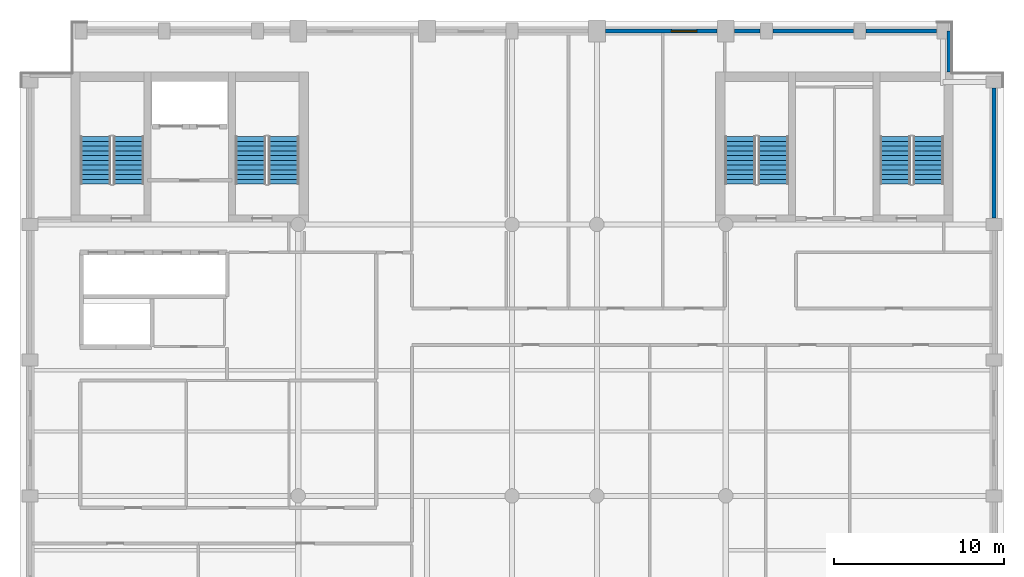
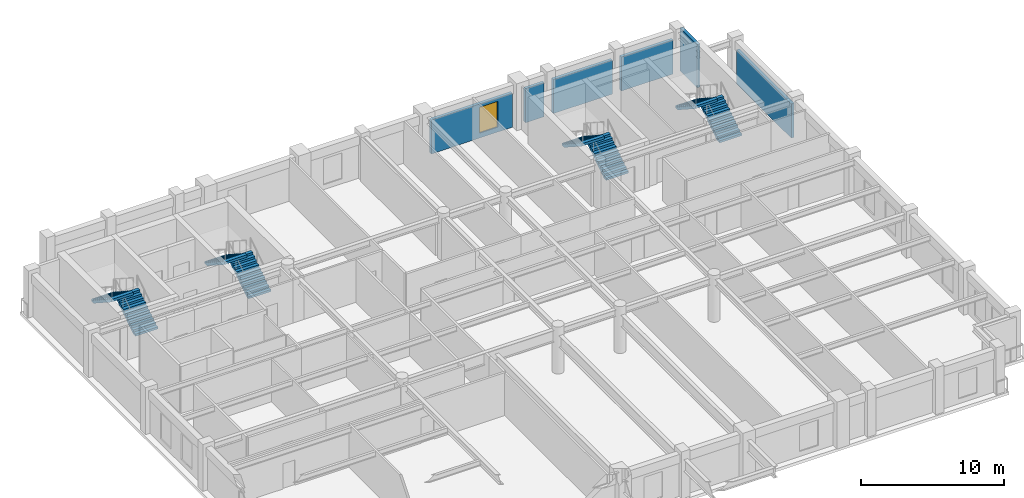
# One storey, part 6 of 9: 8 stair flights, 6 walls, 1 window, 1 opening, 4 elements without a shape of their own.
"""IFC4 building model written with IfcOpenShell, lengths in metres."""

import ifcopenshell
import ifcopenshell.guid

model = None  # the IFC model being written
_history = None  # IfcOwnerHistory: only IFC2X3 demands one
_inside = {}  # id of a spatial element -> (the spatial element, [elements in it])
_under = {}  # id of a project, library or spatial element -> (it, [spatial elements below it])
_declared = {}  # id of a project -> (the project, [libraries it declares])
_typed = {}  # id of a type object -> (the type object, [elements of that type])
_made_of = {}  # id of a material, layer set ... -> (it, [elements and type objects made of it])


def new_model(schema):
    """Start an empty IFC model of exactly this schema.

    Asked for "IFC4X3", IfcOpenShell would pick the latest addendum, in which some entities
    have other attributes; the version numbers below select the first issue.
    IFC2X3 requires an IfcOwnerHistory on every rooted entity: one is made here for all.
    """
    global model, _history
    if schema == "IFC4X3":
        model = ifcopenshell.file(schema_version=(4, 3, 0, 0))
    else:
        model = ifcopenshell.file(schema=schema)
    _inside.clear()
    _under.clear()
    _declared.clear()
    _typed.clear()
    _made_of.clear()
    _history = None
    if model.schema == "IFC2X3":
        org = make("IfcOrganization", Name="unknown")
        user = make(
            "IfcPersonAndOrganization",
            ThePerson=make("IfcPerson", FamilyName="unknown"),
            TheOrganization=org,
        )
        app = make(
            "IfcApplication",
            ApplicationDeveloper=org,
            Version="unknown",
            ApplicationFullName="unknown",
            ApplicationIdentifier="unknown",
        )
        _history = make(
            "IfcOwnerHistory",
            OwningUser=user,
            OwningApplication=app,
            ChangeAction="ADDED",
            CreationDate=0,
        )
    return model


def make(cls, **values):
    """One entity of the class cls with the attributes given. An attribute that is None is left unset."""
    return model.create_entity(
        cls, **{name: value for name, value in values.items() if value is not None}
    )


def rooted(cls, **values):
    """An entity with a GlobalId (a new one), such as an element, a storey or a relation."""
    return make(cls, GlobalId=ifcopenshell.guid.new(), OwnerHistory=_history, **values)


def si_unit(unit_type, name, prefix=None):
    """IfcSIUnit, for example si_unit("LENGTHUNIT", "METRE", prefix="MILLI")."""
    return make("IfcSIUnit", UnitType=unit_type, Prefix=prefix, Name=name)


def assignment(units):
    """IfcUnitAssignment: the units of a project."""
    return None if units is None else make("IfcUnitAssignment", Units=units)


def point(xyz):
    """IfcCartesianPoint."""
    return None if xyz is None else make("IfcCartesianPoint", Coordinates=xyz)


def direction(xyz):
    """IfcDirection."""
    return None if xyz is None else make("IfcDirection", DirectionRatios=xyz)


def frame(location, z_axis=None, x_axis=None):
    """IfcAxis2Placement3D, a coordinate frame: its origin and axes. An axis left out is left unset."""
    return make(
        "IfcAxis2Placement3D",
        Location=point(location),
        Axis=direction(z_axis),
        RefDirection=direction(x_axis),
    )


def frame_2d(location, x_axis=None):
    """IfcAxis2Placement2D, a coordinate frame in the plane: its origin and x axis."""
    return make(
        "IfcAxis2Placement2D", Location=point(location), RefDirection=direction(x_axis)
    )


def origin():
    """The frame at (0, 0, 0) with its axes left unset."""
    return frame((0.0, 0.0, 0.0))


def place(relative_to, where):
    """IfcLocalPlacement: puts the frame where relative to a parent placement (None: the world)."""
    return make(
        "IfcLocalPlacement", PlacementRelTo=relative_to, RelativePlacement=where
    )


def context(
    kind, dimensions, precision=None, world=None, true_north=None, identifier=None
):
    """IfcGeometricRepresentationContext, for example the 3D "Model" context."""
    return make(
        "IfcGeometricRepresentationContext",
        ContextIdentifier=identifier,
        ContextType=kind,
        CoordinateSpaceDimension=dimensions,
        Precision=precision,
        WorldCoordinateSystem=world,
        TrueNorth=true_north,
    )


def subcontext(parent, identifier, kind, view, scale=None):
    """IfcGeometricRepresentationSubContext, for example "Body" below "Model"."""
    return make(
        "IfcGeometricRepresentationSubContext",
        ContextIdentifier=identifier,
        ContextType=kind,
        ParentContext=parent,
        TargetScale=scale,
        TargetView=view,
    )


def project(units=None, contexts=None):
    """IfcProject with its units and contexts."""
    return rooted(
        "IfcProject",
        Name="project",
        RepresentationContexts=contexts,
        UnitsInContext=assignment(units),
    )


def spatial(cls, under=None, at=None, **own):
    """A site, building, storey or space (cls), placed at a placement, below another one or the project."""
    s = rooted(cls, ObjectPlacement=at, **own)
    if under is not None:
        _under.setdefault(under.id(), (under, []))[1].append(s)
    return s


def polyline(points):
    """IfcPolyline through the points."""
    return make("IfcPolyline", Points=[point(p) for p in points])


def profile(cls, at=None, kind="AREA", **sizes):
    """A parametric profile (cls). Its sizes go by their IFC names, for example OverallWidth=200.0."""
    return make(cls, ProfileType=kind, Position=at, **sizes)


def rectangle(**sizes):
    """IfcRectangleProfileDef."""
    return profile("IfcRectangleProfileDef", **sizes)


def outline(outer, holes=None, kind="AREA"):
    """IfcArbitraryClosedProfileDef: a profile drawn as a closed curve; with holes, ...WithVoids."""
    if holes is None:
        return make("IfcArbitraryClosedProfileDef", ProfileType=kind, OuterCurve=outer)
    return make(
        "IfcArbitraryProfileDefWithVoids",
        ProfileType=kind,
        OuterCurve=outer,
        InnerCurves=holes,
    )


def extrude(swept, where, along, depth):
    """IfcExtrudedAreaSolid: the profile swept, set in the frame where, extruded along a direction by depth."""
    return make(
        "IfcExtrudedAreaSolid",
        SweptArea=swept,
        Position=where,
        ExtrudedDirection=direction(along),
        Depth=depth,
    )


def shape(context_of_items, identifier, shape_type, items):
    """IfcShapeRepresentation: the items that make up one representation, for example the "Body"."""
    return make(
        "IfcShapeRepresentation",
        ContextOfItems=context_of_items,
        RepresentationIdentifier=identifier,
        RepresentationType=shape_type,
        Items=items,
    )


def material(Name=None, Category=None):
    """IfcMaterial."""
    return make("IfcMaterial", Name=Name, Category=Category)


def layer(
    of_material, thickness, ventilated=None, Name=None, Category=None, Priority=None
):
    """IfcMaterialLayer: one layer of a wall or slab, of a material (None: an air gap)."""
    return make(
        "IfcMaterialLayer",
        Material=of_material,
        LayerThickness=thickness,
        IsVentilated=ventilated,
        Name=Name,
        Category=Category,
        Priority=Priority,
    )


def layer_set(layers, Name=None):
    """IfcMaterialLayerSet."""
    return make("IfcMaterialLayerSet", MaterialLayers=layers, LayerSetName=Name)


def made_of(thing, what):
    """Note that an element or type object is made of a material, layer set ...; save() writes the relation."""
    if what is not None:
        _made_of.setdefault(what.id(), (what, []))[1].append(thing)
    return thing


def type_object(cls, material=None, **own):
    """A type object (cls), such as IfcWallType, which elements share."""
    return made_of(rooted(cls, **own), material)


def element(
    cls,
    number,
    at=None,
    inside=None,
    cuts=None,
    type_object=None,
    material=None,
    context=None,
    identifier="Body",
    shape_type=None,
    held_by="IfcProductDefinitionShape",
    body=None,
    shapes=None,
    **own,
):
    """One element of the class cls, such as IfcWall. Its Tag is "e" and its number.

    at: its placement. inside: the storey or other place that contains it. cuts: it is an
    opening in that element (IfcRelVoidsElement). A single representation is given by context,
    identifier, shape_type and body (its items); several are given by shapes. held_by: the class
    of the entity that holds the representations. save() writes the other relations.
    """
    e = rooted(cls, Tag="e%d" % number, ObjectPlacement=at, **own)
    if body is not None:
        shapes = [shape(context, identifier, shape_type, body)]
    if shapes is not None:
        e.Representation = make(held_by, Representations=shapes)
    if inside is not None:
        _inside.setdefault(inside.id(), (inside, []))[1].append(e)
    if cuts is not None:
        rooted(
            "IfcRelVoidsElement", RelatingBuildingElement=cuts, RelatedOpeningElement=e
        )
    if type_object is not None:
        _typed.setdefault(type_object.id(), (type_object, []))[1].append(e)
    return made_of(e, material)


def fill(opening, filler):
    """IfcRelFillsElement: the door or window that sits in an opening."""
    return rooted(
        "IfcRelFillsElement",
        RelatingOpeningElement=opening,
        RelatedBuildingElement=filler,
    )


def aggregate(whole, parts):
    """IfcRelAggregates: a whole, such as a stair, and the parts it consists of."""
    return rooted("IfcRelAggregates", RelatingObject=whole, RelatedObjects=parts)


def save(model, path):
    """Write the relations noted so far, then the file.

    IfcRelAggregates (storeys below a building ...), IfcRelContainedInSpatialStructure (elements
    in a storey), IfcRelDefinesByType, IfcRelAssociatesMaterial and IfcRelDeclares: one each for
    every whole, place, type object, material and project.
    """
    for whole, parts in _under.values():
        aggregate(whole, parts)
    for where, things in _inside.values():
        rooted(
            "IfcRelContainedInSpatialStructure",
            RelatedElements=things,
            RelatingStructure=where,
        )
    for kind, things in _typed.values():
        rooted("IfcRelDefinesByType", RelatedObjects=things, RelatingType=kind)
    for what, things in _made_of.values():
        rooted("IfcRelAssociatesMaterial", RelatedObjects=things, RelatingMaterial=what)
    for by, libraries in _declared.values():
        rooted("IfcRelDeclares", RelatingContext=by, RelatedDefinitions=libraries)
    model.write(path)


model = new_model("IFC4")

# Units and contexts
model_context = context("Model", 3, precision=1e-05, world=origin(), true_north=direction((0.0, 1.0)))
body_context = subcontext(model_context, "Body", "Model", "MODEL_VIEW")
ifc_project = project(units=[si_unit("LENGTHUNIT", "METRE"), si_unit("AREAUNIT", "SQUARE_METRE"), si_unit("VOLUMEUNIT", "CUBIC_METRE"), si_unit("PLANEANGLEUNIT", "RADIAN"), si_unit("MASSUNIT", "GRAM", prefix="KILO")], contexts=[model_context])

# Site, building, storey
site_placement = place(None, origin())
site = spatial("IfcSite", under=ifc_project, at=site_placement, CompositionType="ELEMENT")
building_placement = place(site_placement, origin())
building = spatial("IfcBuilding", under=site, at=building_placement, Name="Sulina Concourse Tower", CompositionType="ELEMENT")
storey_placement = place(building_placement, frame((0.0, 0.0, 276.60009765625)))
storey = spatial("IfcBuildingStorey", under=building, at=storey_placement, Name="L67", CompositionType="ELEMENT", Elevation=276.60009765625)

# Wall, opening, window
ifc_material_1 = material(Name="Precast concrete C50/60", Category="concrete")
ifc_layer = layer(ifc_material_1, 0.239990234375)
ifc_layer_set = layer_set([ifc_layer], Name="Precast concrete C50/60")
wall_type = type_object("IfcWallType", Name="Crown Precast Masonry-Frame Facade Wall 240mm", PredefinedType="SOLIDWALL", material=ifc_layer_set)
wall_1_placement = place(storey_placement, frame((34.52001953125, 45.39990234375, 0.0), z_axis=(0.0, 0.0, 1.0), x_axis=(1.0, 0.0, 0.0)))
wall_1 = element("IfcWall", 1, at=wall_1_placement, inside=storey, type_object=wall_type, Name="L67 exterior precast wall N7", PredefinedType="SOLIDWALL", context=body_context, shape_type="SweptSolid", body=[
    extrude(rectangle(XDim=6.56005859375, YDim=0.239990234375, at=frame_2d((3.280029296875, 0.0))), origin(), (0.0, 0.0, 1.0), 2.909912109375),
])
opening_placement = place(wall_1_placement, frame((3.873291015625, 0.0, 0.419921875)))
opening = element("IfcOpeningElement", 2, at=opening_placement, cuts=wall_1, Name="Opening WN-71", PredefinedType="OPENING", context=body_context, shape_type="SweptSolid", body=[
    extrude(rectangle(XDim=1.5, YDim=2.199951171875, at=frame_2d((0.75, 1.10009765625))), frame((0.0, 0.1298828125, 0.0), z_axis=(0.0, -1.0, 0.0), x_axis=(1.0, 0.0, 0.0)), (0.0, 0.0, 1.0), 0.260009765625),
])
ifc_material_2 = material(Name="Low-E solar double glazing in bronze aluminium", Category="aluminium")
window_type = type_object("IfcWindowType", Name="Punched Masonry-Frame Window 1500x2200", PartitioningType="SINGLE_PANEL", PredefinedType="WINDOW", material=ifc_material_2)
window_placement = place(opening_placement, origin())
window = element("IfcWindow", 3, at=window_placement, inside=storey, type_object=window_type, Name="L67 punched window N7-1", OverallHeight=2.199951171875, OverallWidth=1.5, PartitioningType="SINGLE_PANEL", PredefinedType="WINDOW", context=body_context, shape_type="SweptSolid", body=[
    extrude(rectangle(XDim=1.5, YDim=2.199951171875, at=frame_2d((0.75, 1.10009765625))), frame((0.0, 0.030029296875, 0.0), z_axis=(0.0, -1.0, 0.0), x_axis=(1.0, 0.0, 0.0)), (0.0, 0.0, 1.0), 0.06005859375),
])
fill(opening, window)

# Walls
wall_2_placement = place(storey_placement, frame((42.1201171875, 45.39990234375, 0.0), z_axis=(0.0, 0.0, 1.0), x_axis=(1.0, 0.0, 0.0)))
element("IfcWall", 4, at=wall_2_placement, inside=storey, type_object=wall_type, Name="L67 exterior precast wall N8", PredefinedType="SOLIDWALL", context=body_context, shape_type="SweptSolid", body=[
    extrude(rectangle(XDim=1.509765625, YDim=0.239990234375, at=frame_2d((0.7548828125, 0.0))), origin(), (0.0, 0.0, 1.0), 2.909912109375),
])
wall_3_placement = place(storey_placement, frame((44.3701171875, 45.39990234375, 0.0), z_axis=(0.0, 0.0, 1.0), x_axis=(1.0, 0.0, 0.0)))
element("IfcWall", 5, at=wall_3_placement, inside=storey, type_object=wall_type, Name="L67 exterior precast wall N9", PredefinedType="SOLIDWALL", context=body_context, shape_type="SweptSolid", body=[
    extrude(rectangle(XDim=4.759765625, YDim=0.239990234375, at=frame_2d((2.3798828125, 0.0))), origin(), (0.0, 0.0, 1.0), 2.909912109375),
])
wall_4_placement = place(storey_placement, frame((49.8701171875, 45.39990234375, 0.0), z_axis=(0.0, 0.0, 1.0), x_axis=(1.0, 0.0, 0.0)))
element("IfcWall", 6, at=wall_4_placement, inside=storey, type_object=wall_type, Name="L67 exterior precast wall N10", PredefinedType="SOLIDWALL", context=body_context, shape_type="SweptSolid", body=[
    extrude(rectangle(XDim=4.159912109375, YDim=0.239990234375, at=frame_2d((2.080078125, 0.0))), origin(), (0.0, 0.0, 1.0), 2.909912109375),
])
wall_5_placement = place(storey_placement, frame((57.39990234375, 42.030029296875, 0.0), z_axis=(0.0, 0.0, 1.0), x_axis=(0.0, -1.0, 0.0)))
element("IfcWall", 7, at=wall_5_placement, inside=storey, type_object=wall_type, Name="L67 exterior precast wall E5", PredefinedType="SOLIDWALL", context=body_context, shape_type="SweptSolid", body=[
    extrude(rectangle(XDim=7.659912109375, YDim=0.239990234375, at=frame_2d((3.830078125, 0.0))), origin(), (0.0, 0.0, 1.0), 2.909912109375),
])
wall_6_placement = place(storey_placement, frame((54.77001953125, 45.39990234375, 0.0), z_axis=(0.0, 0.0, 1.0), x_axis=(0.0, -1.0, 0.0)))
element("IfcWall", 8, at=wall_6_placement, inside=storey, type_object=wall_type, Name="L67 exterior precast wall CNE1", PredefinedType="SOLIDWALL", context=body_context, shape_type="SweptSolid", body=[
    extrude(rectangle(XDim=2.414794921875, YDim=0.239990234375, at=frame_2d((1.20751953125, 0.0))), origin(), (0.0, 0.0, 1.0), 3.659912109375),
])

# Stair, stair flights
ifc_material_3 = material(Name="Concrete C50/60", Category="concrete")
stair_type_1 = type_object("IfcStairType", Name="Portal & Podium Core Exit Stair 1820mm", PredefinedType="HALF_TURN_STAIR", material=ifc_material_3)
stair_1_placement = place(storey_placement, origin())
stair_1 = element("IfcStair", 9, at=stair_1_placement, inside=storey, type_object=stair_type_1, Name="L67 ST-3", PredefinedType="HALF_TURN_STAIR")
ifc_material_4 = material(Name="Concrete C50/60", Category="concrete")
stair_flight_type_1 = type_object("IfcStairFlightType", Name="Portal & Podium Core Exit Stair 1820mm Flight", PredefinedType="STRAIGHT", material=ifc_material_4)
stair_flight_1_placement = place(storey_placement, frame((44.405029296875, 36.375, 0.0), z_axis=(0.0, 0.0, 1.0), x_axis=(0.0, 1.0, 0.0)))
stair_flight_1 = element("IfcStairFlight", 10, at=stair_flight_1_placement, type_object=stair_flight_type_1, Name="ST-3 flight 1", NumberOfRisers=11, NumberOfTreads=10, PredefinedType="STRAIGHT", RiserHeight=0.181818182, TreadLength=0.28, context=body_context, shape_type="SweptSolid", body=[
    extrude(outline(polyline([(0.0, 0.0), (0.0, 0.181884765625), (0.280029296875, 0.181884765625), (0.280029296875, 0.363525390625), (0.56005859375, 0.363525390625), (0.56005859375, 0.54541015625), (0.840087890625, 0.54541015625), (0.840087890625, 0.727294921875), (1.1201171875, 0.727294921875), (1.1201171875, 0.9091796875), (1.39990234375, 0.9091796875), (1.39990234375, 1.0908203125), (1.679931640625, 1.0908203125), (1.679931640625, 1.272705078125), (1.9599609375, 1.272705078125), (1.9599609375, 1.45458984375), (2.239990234375, 1.45458984375), (2.239990234375, 1.636474609375), (2.52001953125, 1.636474609375), (2.52001953125, 1.818115234375), (2.800048828125, 1.818115234375), (2.800048828125, 2.0), (2.800048828125, 1.603759765625), (0.330322265625, 0.0), (0.0, 0.0)])), frame((0.0, 0.89990234375, 0.0), z_axis=(0.0, -1.0, 0.0), x_axis=(1.0, 0.0, 0.0)), (0.0, 0.0, 1.0), 1.800048828125),
])
stair_flight_2_placement = place(storey_placement, frame((42.455078125, 39.175048828125, 2.0), z_axis=(0.0, 0.0, 1.0), x_axis=(0.0, -1.0, 0.0)))
stair_flight_2 = element("IfcStairFlight", 11, at=stair_flight_2_placement, type_object=stair_flight_type_1, Name="ST-3 flight 2", NumberOfRisers=11, NumberOfTreads=10, PredefinedType="STRAIGHT", RiserHeight=0.181818182, TreadLength=0.28, context=body_context, shape_type="SweptSolid", body=[
    extrude(outline(polyline([(0.0, 0.0), (0.0, 0.181884765625), (0.280029296875, 0.181884765625), (0.280029296875, 0.363525390625), (0.56005859375, 0.363525390625), (0.56005859375, 0.54541015625), (0.840087890625, 0.54541015625), (0.840087890625, 0.727294921875), (1.1201171875, 0.727294921875), (1.1201171875, 0.9091796875), (1.39990234375, 0.9091796875), (1.39990234375, 1.0908203125), (1.679931640625, 1.0908203125), (1.679931640625, 1.272705078125), (1.9599609375, 1.272705078125), (1.9599609375, 1.45458984375), (2.239990234375, 1.45458984375), (2.239990234375, 1.636474609375), (2.52001953125, 1.636474609375), (2.52001953125, 1.818115234375), (2.800048828125, 1.818115234375), (2.800048828125, 2.0), (2.800048828125, 1.603759765625), (0.330322265625, 0.0), (0.0, 0.0)])), frame((0.0, 0.89990234375, 0.0), z_axis=(0.0, -1.0, 0.0), x_axis=(1.0, 0.0, 0.0)), (0.0, 0.0, 1.0), 1.800048828125),
])
aggregate(stair_1, [stair_flight_1, stair_flight_2])

stair_2_placement = place(storey_placement, origin())
stair_2 = element("IfcStair", 12, at=stair_2_placement, inside=storey, type_object=stair_type_1, Name="L67 ST-4", PredefinedType="HALF_TURN_STAIR")
stair_flight_3_placement = place(storey_placement, frame((53.544921875, 36.375, 0.0), z_axis=(0.0, 0.0, 1.0), x_axis=(0.0, 1.0, 0.0)))
stair_flight_3 = element("IfcStairFlight", 13, at=stair_flight_3_placement, type_object=stair_flight_type_1, Name="ST-4 flight 1", NumberOfRisers=11, NumberOfTreads=10, PredefinedType="STRAIGHT", RiserHeight=0.181818182, TreadLength=0.28, context=body_context, shape_type="SweptSolid", body=[
    extrude(outline(polyline([(0.0, 0.0), (0.0, 0.181884765625), (0.280029296875, 0.181884765625), (0.280029296875, 0.363525390625), (0.56005859375, 0.363525390625), (0.56005859375, 0.54541015625), (0.840087890625, 0.54541015625), (0.840087890625, 0.727294921875), (1.1201171875, 0.727294921875), (1.1201171875, 0.9091796875), (1.39990234375, 0.9091796875), (1.39990234375, 1.0908203125), (1.679931640625, 1.0908203125), (1.679931640625, 1.272705078125), (1.9599609375, 1.272705078125), (1.9599609375, 1.45458984375), (2.239990234375, 1.45458984375), (2.239990234375, 1.636474609375), (2.52001953125, 1.636474609375), (2.52001953125, 1.818115234375), (2.800048828125, 1.818115234375), (2.800048828125, 2.0), (2.800048828125, 1.603759765625), (0.330322265625, 0.0), (0.0, 0.0)])), frame((0.0, 0.89990234375, 0.0), z_axis=(0.0, -1.0, 0.0), x_axis=(1.0, 0.0, 0.0)), (0.0, 0.0, 1.0), 1.800048828125),
])
stair_flight_4_placement = place(storey_placement, frame((51.594970703125, 39.175048828125, 2.0), z_axis=(0.0, 0.0, 1.0), x_axis=(0.0, -1.0, 0.0)))
stair_flight_4 = element("IfcStairFlight", 14, at=stair_flight_4_placement, type_object=stair_flight_type_1, Name="ST-4 flight 2", NumberOfRisers=11, NumberOfTreads=10, PredefinedType="STRAIGHT", RiserHeight=0.181818182, TreadLength=0.28, context=body_context, shape_type="SweptSolid", body=[
    extrude(outline(polyline([(0.0, 0.0), (0.0, 0.181884765625), (0.280029296875, 0.181884765625), (0.280029296875, 0.363525390625), (0.56005859375, 0.363525390625), (0.56005859375, 0.54541015625), (0.840087890625, 0.54541015625), (0.840087890625, 0.727294921875), (1.1201171875, 0.727294921875), (1.1201171875, 0.9091796875), (1.39990234375, 0.9091796875), (1.39990234375, 1.0908203125), (1.679931640625, 1.0908203125), (1.679931640625, 1.272705078125), (1.9599609375, 1.272705078125), (1.9599609375, 1.45458984375), (2.239990234375, 1.45458984375), (2.239990234375, 1.636474609375), (2.52001953125, 1.636474609375), (2.52001953125, 1.818115234375), (2.800048828125, 1.818115234375), (2.800048828125, 2.0), (2.800048828125, 1.603759765625), (0.330322265625, 0.0), (0.0, 0.0)])), frame((0.0, 0.89990234375, 0.0), z_axis=(0.0, -1.0, 0.0), x_axis=(1.0, 0.0, 0.0)), (0.0, 0.0, 1.0), 1.800048828125),
])
aggregate(stair_2, [stair_flight_3, stair_flight_4])

ifc_material_5 = material(Name="Concrete C50/60", Category="concrete")
stair_type_2 = type_object("IfcStairType", Name="Primary Core Dog-Leg Exit Stair 1800mm", PredefinedType="HALF_TURN_STAIR", material=ifc_material_5)
stair_3_placement = place(storey_placement, origin())
stair_3 = element("IfcStair", 15, at=stair_3_placement, inside=storey, type_object=stair_type_2, Name="L67 ST-1", PredefinedType="HALF_TURN_STAIR")
ifc_material_6 = material(Name="Concrete C50/60", Category="concrete")
stair_flight_type_2 = type_object("IfcStairFlightType", Name="Primary Core Dog-Leg Exit Stair 1800mm Flight", PredefinedType="STRAIGHT", material=ifc_material_6)
stair_flight_5_placement = place(storey_placement, frame((6.405029296875, 36.375, 0.0), z_axis=(0.0, 0.0, 1.0), x_axis=(0.0, 1.0, 0.0)))
stair_flight_5 = element("IfcStairFlight", 16, at=stair_flight_5_placement, type_object=stair_flight_type_2, Name="ST-1 flight 1", NumberOfRisers=11, NumberOfTreads=10, PredefinedType="STRAIGHT", RiserHeight=0.181818182, TreadLength=0.28, context=body_context, shape_type="SweptSolid", body=[
    extrude(outline(polyline([(0.0, 0.0), (0.0, 0.181884765625), (0.280029296875, 0.181884765625), (0.280029296875, 0.363525390625), (0.56005859375, 0.363525390625), (0.56005859375, 0.54541015625), (0.840087890625, 0.54541015625), (0.840087890625, 0.727294921875), (1.1201171875, 0.727294921875), (1.1201171875, 0.9091796875), (1.39990234375, 0.9091796875), (1.39990234375, 1.0908203125), (1.679931640625, 1.0908203125), (1.679931640625, 1.272705078125), (1.9599609375, 1.272705078125), (1.9599609375, 1.45458984375), (2.239990234375, 1.45458984375), (2.239990234375, 1.636474609375), (2.52001953125, 1.636474609375), (2.52001953125, 1.818115234375), (2.800048828125, 1.818115234375), (2.800048828125, 2.0), (2.800048828125, 1.603759765625), (0.330322265625, 0.0), (0.0, 0.0)])), frame((0.0, 0.89990234375, 0.0), z_axis=(0.0, -1.0, 0.0), x_axis=(1.0, 0.0, 0.0)), (0.0, 0.0, 1.0), 1.800048828125),
])
stair_flight_6_placement = place(storey_placement, frame((4.455078125, 39.175048828125, 2.0), z_axis=(0.0, 0.0, 1.0), x_axis=(0.0, -1.0, 0.0)))
stair_flight_6 = element("IfcStairFlight", 17, at=stair_flight_6_placement, type_object=stair_flight_type_2, Name="ST-1 flight 2", NumberOfRisers=11, NumberOfTreads=10, PredefinedType="STRAIGHT", RiserHeight=0.181818182, TreadLength=0.28, context=body_context, shape_type="SweptSolid", body=[
    extrude(outline(polyline([(0.0, 0.0), (0.0, 0.181884765625), (0.280029296875, 0.181884765625), (0.280029296875, 0.363525390625), (0.56005859375, 0.363525390625), (0.56005859375, 0.54541015625), (0.840087890625, 0.54541015625), (0.840087890625, 0.727294921875), (1.1201171875, 0.727294921875), (1.1201171875, 0.9091796875), (1.39990234375, 0.9091796875), (1.39990234375, 1.0908203125), (1.679931640625, 1.0908203125), (1.679931640625, 1.272705078125), (1.9599609375, 1.272705078125), (1.9599609375, 1.45458984375), (2.239990234375, 1.45458984375), (2.239990234375, 1.636474609375), (2.52001953125, 1.636474609375), (2.52001953125, 1.818115234375), (2.800048828125, 1.818115234375), (2.800048828125, 2.0), (2.800048828125, 1.603759765625), (0.330322265625, 0.0), (0.0, 0.0)])), frame((0.0, 0.89990234375, 0.0), z_axis=(0.0, -1.0, 0.0), x_axis=(1.0, 0.0, 0.0)), (0.0, 0.0, 1.0), 1.800048828125),
])
aggregate(stair_3, [stair_flight_5, stair_flight_6])

stair_4_placement = place(storey_placement, origin())
stair_4 = element("IfcStair", 18, at=stair_4_placement, inside=storey, type_object=stair_type_2, Name="L67 ST-2", PredefinedType="HALF_TURN_STAIR")
stair_flight_7_placement = place(storey_placement, frame((15.544921875, 36.375, 0.0), z_axis=(0.0, 0.0, 1.0), x_axis=(0.0, 1.0, 0.0)))
stair_flight_7 = element("IfcStairFlight", 19, at=stair_flight_7_placement, type_object=stair_flight_type_2, Name="ST-2 flight 1", NumberOfRisers=11, NumberOfTreads=10, PredefinedType="STRAIGHT", RiserHeight=0.181818182, TreadLength=0.28, context=body_context, shape_type="SweptSolid", body=[
    extrude(outline(polyline([(0.0, 0.0), (0.0, 0.181884765625), (0.280029296875, 0.181884765625), (0.280029296875, 0.363525390625), (0.56005859375, 0.363525390625), (0.56005859375, 0.54541015625), (0.840087890625, 0.54541015625), (0.840087890625, 0.727294921875), (1.1201171875, 0.727294921875), (1.1201171875, 0.9091796875), (1.39990234375, 0.9091796875), (1.39990234375, 1.0908203125), (1.679931640625, 1.0908203125), (1.679931640625, 1.272705078125), (1.9599609375, 1.272705078125), (1.9599609375, 1.45458984375), (2.239990234375, 1.45458984375), (2.239990234375, 1.636474609375), (2.52001953125, 1.636474609375), (2.52001953125, 1.818115234375), (2.800048828125, 1.818115234375), (2.800048828125, 2.0), (2.800048828125, 1.603759765625), (0.330322265625, 0.0), (0.0, 0.0)])), frame((0.0, 0.89990234375, 0.0), z_axis=(0.0, -1.0, 0.0), x_axis=(1.0, 0.0, 0.0)), (0.0, 0.0, 1.0), 1.800048828125),
])
stair_flight_8_placement = place(storey_placement, frame((13.594970703125, 39.175048828125, 2.0), z_axis=(0.0, 0.0, 1.0), x_axis=(0.0, -1.0, 0.0)))
stair_flight_8 = element("IfcStairFlight", 20, at=stair_flight_8_placement, type_object=stair_flight_type_2, Name="ST-2 flight 2", NumberOfRisers=11, NumberOfTreads=10, PredefinedType="STRAIGHT", RiserHeight=0.181818182, TreadLength=0.28, context=body_context, shape_type="SweptSolid", body=[
    extrude(outline(polyline([(0.0, 0.0), (0.0, 0.181884765625), (0.280029296875, 0.181884765625), (0.280029296875, 0.363525390625), (0.56005859375, 0.363525390625), (0.56005859375, 0.54541015625), (0.840087890625, 0.54541015625), (0.840087890625, 0.727294921875), (1.1201171875, 0.727294921875), (1.1201171875, 0.9091796875), (1.39990234375, 0.9091796875), (1.39990234375, 1.0908203125), (1.679931640625, 1.0908203125), (1.679931640625, 1.272705078125), (1.9599609375, 1.272705078125), (1.9599609375, 1.45458984375), (2.239990234375, 1.45458984375), (2.239990234375, 1.636474609375), (2.52001953125, 1.636474609375), (2.52001953125, 1.818115234375), (2.800048828125, 1.818115234375), (2.800048828125, 2.0), (2.800048828125, 1.603759765625), (0.330322265625, 0.0), (0.0, 0.0)])), frame((0.0, 0.89990234375, 0.0), z_axis=(0.0, -1.0, 0.0), x_axis=(1.0, 0.0, 0.0)), (0.0, 0.0, 1.0), 1.800048828125),
])
aggregate(stair_4, [stair_flight_7, stair_flight_8])

save(model, "model.ifc")
